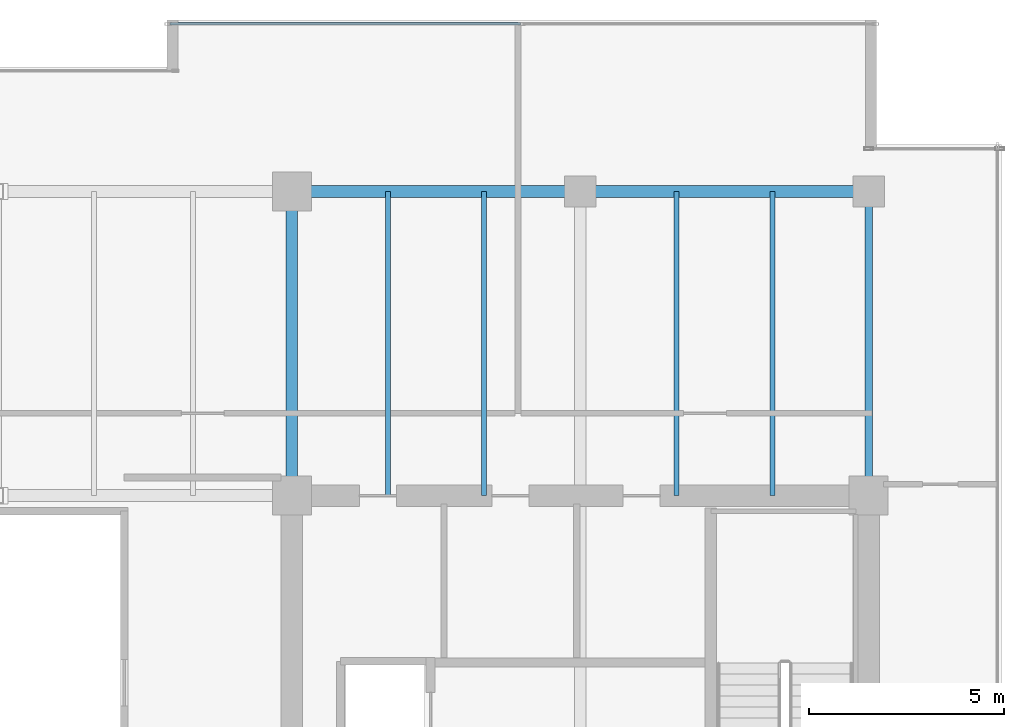
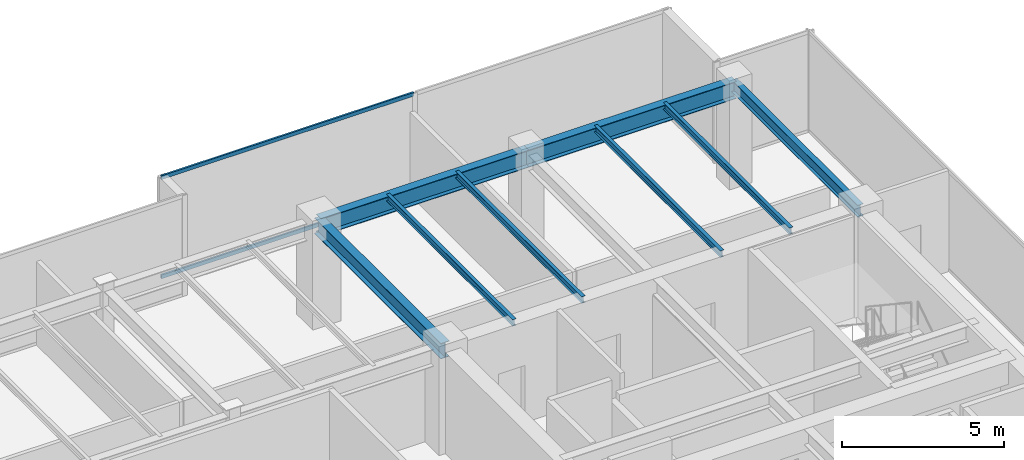
# One storey, part 20 of 33: 8 beams, 2 members, 1 element without a shape of its own.
"""IFC4 building model written with IfcOpenShell, lengths in metres."""

import ifcopenshell
import ifcopenshell.guid

model = None  # the IFC model being written
_history = None  # IfcOwnerHistory: only IFC2X3 demands one
_inside = {}  # id of a spatial element -> (the spatial element, [elements in it])
_under = {}  # id of a project, library or spatial element -> (it, [spatial elements below it])
_declared = {}  # id of a project -> (the project, [libraries it declares])
_typed = {}  # id of a type object -> (the type object, [elements of that type])
_made_of = {}  # id of a material, layer set ... -> (it, [elements and type objects made of it])


def new_model(schema):
    """Start an empty IFC model of exactly this schema.

    Asked for "IFC4X3", IfcOpenShell would pick the latest addendum, in which some entities
    have other attributes; the version numbers below select the first issue.
    IFC2X3 requires an IfcOwnerHistory on every rooted entity: one is made here for all.
    """
    global model, _history
    if schema == "IFC4X3":
        model = ifcopenshell.file(schema_version=(4, 3, 0, 0))
    else:
        model = ifcopenshell.file(schema=schema)
    _inside.clear()
    _under.clear()
    _declared.clear()
    _typed.clear()
    _made_of.clear()
    _history = None
    if model.schema == "IFC2X3":
        org = make("IfcOrganization", Name="unknown")
        user = make(
            "IfcPersonAndOrganization",
            ThePerson=make("IfcPerson", FamilyName="unknown"),
            TheOrganization=org,
        )
        app = make(
            "IfcApplication",
            ApplicationDeveloper=org,
            Version="unknown",
            ApplicationFullName="unknown",
            ApplicationIdentifier="unknown",
        )
        _history = make(
            "IfcOwnerHistory",
            OwningUser=user,
            OwningApplication=app,
            ChangeAction="ADDED",
            CreationDate=0,
        )
    return model


def make(cls, **values):
    """One entity of the class cls with the attributes given. An attribute that is None is left unset."""
    return model.create_entity(
        cls, **{name: value for name, value in values.items() if value is not None}
    )


def rooted(cls, **values):
    """An entity with a GlobalId (a new one), such as an element, a storey or a relation."""
    return make(cls, GlobalId=ifcopenshell.guid.new(), OwnerHistory=_history, **values)


def si_unit(unit_type, name, prefix=None):
    """IfcSIUnit, for example si_unit("LENGTHUNIT", "METRE", prefix="MILLI")."""
    return make("IfcSIUnit", UnitType=unit_type, Prefix=prefix, Name=name)


def assignment(units):
    """IfcUnitAssignment: the units of a project."""
    return None if units is None else make("IfcUnitAssignment", Units=units)


def point(xyz):
    """IfcCartesianPoint."""
    return None if xyz is None else make("IfcCartesianPoint", Coordinates=xyz)


def direction(xyz):
    """IfcDirection."""
    return None if xyz is None else make("IfcDirection", DirectionRatios=xyz)


def frame(location, z_axis=None, x_axis=None):
    """IfcAxis2Placement3D, a coordinate frame: its origin and axes. An axis left out is left unset."""
    return make(
        "IfcAxis2Placement3D",
        Location=point(location),
        Axis=direction(z_axis),
        RefDirection=direction(x_axis),
    )


def frame_2d(location, x_axis=None):
    """IfcAxis2Placement2D, a coordinate frame in the plane: its origin and x axis."""
    return make(
        "IfcAxis2Placement2D", Location=point(location), RefDirection=direction(x_axis)
    )


def origin():
    """The frame at (0, 0, 0) with its axes left unset."""
    return frame((0.0, 0.0, 0.0))


def origin_2d():
    """The frame at (0, 0) in the plane with its x axis left unset."""
    return frame_2d((0.0, 0.0))


def place(relative_to, where):
    """IfcLocalPlacement: puts the frame where relative to a parent placement (None: the world)."""
    return make(
        "IfcLocalPlacement", PlacementRelTo=relative_to, RelativePlacement=where
    )


def context(
    kind, dimensions, precision=None, world=None, true_north=None, identifier=None
):
    """IfcGeometricRepresentationContext, for example the 3D "Model" context."""
    return make(
        "IfcGeometricRepresentationContext",
        ContextIdentifier=identifier,
        ContextType=kind,
        CoordinateSpaceDimension=dimensions,
        Precision=precision,
        WorldCoordinateSystem=world,
        TrueNorth=true_north,
    )


def subcontext(parent, identifier, kind, view, scale=None):
    """IfcGeometricRepresentationSubContext, for example "Body" below "Model"."""
    return make(
        "IfcGeometricRepresentationSubContext",
        ContextIdentifier=identifier,
        ContextType=kind,
        ParentContext=parent,
        TargetScale=scale,
        TargetView=view,
    )


def project(units=None, contexts=None):
    """IfcProject with its units and contexts."""
    return rooted(
        "IfcProject",
        Name="project",
        RepresentationContexts=contexts,
        UnitsInContext=assignment(units),
    )


def spatial(cls, under=None, at=None, **own):
    """A site, building, storey or space (cls), placed at a placement, below another one or the project."""
    s = rooted(cls, ObjectPlacement=at, **own)
    if under is not None:
        _under.setdefault(under.id(), (under, []))[1].append(s)
    return s


def profile(cls, at=None, kind="AREA", **sizes):
    """A parametric profile (cls). Its sizes go by their IFC names, for example OverallWidth=200.0."""
    return make(cls, ProfileType=kind, Position=at, **sizes)


def hollow_rectangle(**sizes):
    """IfcRectangleHollowProfileDef."""
    return profile("IfcRectangleHollowProfileDef", **sizes)


def i_section(**sizes):
    """IfcIShapeProfileDef."""
    return profile("IfcIShapeProfileDef", **sizes)


def extrude(swept, where, along, depth):
    """IfcExtrudedAreaSolid: the profile swept, set in the frame where, extruded along a direction by depth."""
    return make(
        "IfcExtrudedAreaSolid",
        SweptArea=swept,
        Position=where,
        ExtrudedDirection=direction(along),
        Depth=depth,
    )


def shape(context_of_items, identifier, shape_type, items):
    """IfcShapeRepresentation: the items that make up one representation, for example the "Body"."""
    return make(
        "IfcShapeRepresentation",
        ContextOfItems=context_of_items,
        RepresentationIdentifier=identifier,
        RepresentationType=shape_type,
        Items=items,
    )


def source(mapping_origin, context_of_items, identifier, shape_type, items):
    """IfcRepresentationMap: a shape defined once, which mapped items show again and again."""
    return make(
        "IfcRepresentationMap",
        MappingOrigin=mapping_origin,
        MappedRepresentation=shape(context_of_items, identifier, shape_type, items),
    )


def transform(
    local_origin,
    x_axis=None,
    y_axis=None,
    z_axis=None,
    scale=None,
    scale2=None,
    scale3=None,
    uniform=True,
):
    """IfcCartesianTransformationOperator3D, or its non-uniform kind. x_axis, y_axis, z_axis: its Axis1, 2, 3."""
    if uniform:
        return make(
            "IfcCartesianTransformationOperator3D",
            Axis1=direction(x_axis),
            Axis2=direction(y_axis),
            LocalOrigin=point(local_origin),
            Scale=scale,
            Axis3=direction(z_axis),
        )
    return make(
        "IfcCartesianTransformationOperator3DnonUniform",
        Axis1=direction(x_axis),
        Axis2=direction(y_axis),
        LocalOrigin=point(local_origin),
        Scale=scale,
        Axis3=direction(z_axis),
        Scale2=scale2,
        Scale3=scale3,
    )


def mapped(mapping_source, mapping_target):
    """IfcMappedItem: shows the shape of a source again, moved by a transform."""
    return make(
        "IfcMappedItem", MappingSource=mapping_source, MappingTarget=mapping_target
    )


def material(Name=None, Category=None):
    """IfcMaterial."""
    return make("IfcMaterial", Name=Name, Category=Category)


def layer(
    of_material, thickness, ventilated=None, Name=None, Category=None, Priority=None
):
    """IfcMaterialLayer: one layer of a wall or slab, of a material (None: an air gap)."""
    return make(
        "IfcMaterialLayer",
        Material=of_material,
        LayerThickness=thickness,
        IsVentilated=ventilated,
        Name=Name,
        Category=Category,
        Priority=Priority,
    )


def layer_set(layers, Name=None):
    """IfcMaterialLayerSet."""
    return make("IfcMaterialLayerSet", MaterialLayers=layers, LayerSetName=Name)


def material_profile(
    of_material, cross_section, Name=None, Category=None, Priority=None
):
    """IfcMaterialProfile: a cross section and its material."""
    return make(
        "IfcMaterialProfile",
        Name=Name,
        Material=of_material,
        Profile=cross_section,
        Priority=Priority,
        Category=Category,
    )


def profile_set(profiles, Name=None, composite=None):
    """IfcMaterialProfileSet."""
    return make(
        "IfcMaterialProfileSet",
        Name=Name,
        MaterialProfiles=profiles,
        CompositeProfile=composite,
    )


def made_of(thing, what):
    """Note that an element or type object is made of a material, layer set ...; save() writes the relation."""
    if what is not None:
        _made_of.setdefault(what.id(), (what, []))[1].append(thing)
    return thing


def type_object(cls, material=None, **own):
    """A type object (cls), such as IfcWallType, which elements share."""
    return made_of(rooted(cls, **own), material)


def type_shapes(of_type, sources):
    """Give a type object the sources (RepresentationMaps) that its elements show as mapped items."""
    of_type.RepresentationMaps = sources


def element(
    cls,
    number,
    at=None,
    inside=None,
    cuts=None,
    type_object=None,
    material=None,
    context=None,
    identifier="Body",
    shape_type=None,
    held_by="IfcProductDefinitionShape",
    body=None,
    shapes=None,
    **own,
):
    """One element of the class cls, such as IfcWall. Its Tag is "e" and its number.

    at: its placement. inside: the storey or other place that contains it. cuts: it is an
    opening in that element (IfcRelVoidsElement). A single representation is given by context,
    identifier, shape_type and body (its items); several are given by shapes. held_by: the class
    of the entity that holds the representations. save() writes the other relations.
    """
    e = rooted(cls, Tag="e%d" % number, ObjectPlacement=at, **own)
    if body is not None:
        shapes = [shape(context, identifier, shape_type, body)]
    if shapes is not None:
        e.Representation = make(held_by, Representations=shapes)
    if inside is not None:
        _inside.setdefault(inside.id(), (inside, []))[1].append(e)
    if cuts is not None:
        rooted(
            "IfcRelVoidsElement", RelatingBuildingElement=cuts, RelatedOpeningElement=e
        )
    if type_object is not None:
        _typed.setdefault(type_object.id(), (type_object, []))[1].append(e)
    return made_of(e, material)


def aggregate(whole, parts):
    """IfcRelAggregates: a whole, such as a stair, and the parts it consists of."""
    return rooted("IfcRelAggregates", RelatingObject=whole, RelatedObjects=parts)


def save(model, path):
    """Write the relations noted so far, then the file.

    IfcRelAggregates (storeys below a building ...), IfcRelContainedInSpatialStructure (elements
    in a storey), IfcRelDefinesByType, IfcRelAssociatesMaterial and IfcRelDeclares: one each for
    every whole, place, type object, material and project.
    """
    for whole, parts in _under.values():
        aggregate(whole, parts)
    for where, things in _inside.values():
        rooted(
            "IfcRelContainedInSpatialStructure",
            RelatedElements=things,
            RelatingStructure=where,
        )
    for kind, things in _typed.values():
        rooted("IfcRelDefinesByType", RelatedObjects=things, RelatingType=kind)
    for what, things in _made_of.values():
        rooted("IfcRelAssociatesMaterial", RelatedObjects=things, RelatingMaterial=what)
    for by, libraries in _declared.values():
        rooted("IfcRelDeclares", RelatingContext=by, RelatedDefinitions=libraries)
    model.write(path)


model = new_model("IFC4")

# Units and contexts
model_context = context("Model", 3, precision=1e-05, world=origin(), true_north=direction((0.0, 1.0)))
body_context = subcontext(model_context, "Body", "Model", "MODEL_VIEW")
ifc_project = project(units=[si_unit("LENGTHUNIT", "METRE"), si_unit("AREAUNIT", "SQUARE_METRE"), si_unit("VOLUMEUNIT", "CUBIC_METRE"), si_unit("PLANEANGLEUNIT", "RADIAN"), si_unit("MASSUNIT", "GRAM", prefix="KILO")], contexts=[model_context])

# Site, building, storey
site_placement = place(None, origin())
site = spatial("IfcSite", under=ifc_project, at=site_placement, CompositionType="ELEMENT")
building_placement = place(site_placement, origin())
building = spatial("IfcBuilding", under=site, at=building_placement, Name="Haelvirn Gate Laboratories", CompositionType="ELEMENT")
storey_placement = place(building_placement, frame((0.0, 0.0, 287.5)))
storey = spatial("IfcBuildingStorey", under=building, at=storey_placement, Name="L69", CompositionType="ELEMENT", Elevation=287.5)

# Beams
ifc_material_1 = material(Name="Steel SM355", Category="steel")
ifc_material_profile_1 = material_profile(ifc_material_1, i_section(OverallWidth=0.300048828125, OverallDepth=0.587890625, WebThickness=0.011962890625, FlangeThickness=0.02001953125, at=origin_2d()), Name="H-588x300x12x20")
ifc_profile_set_1 = profile_set([ifc_material_profile_1], Name="Steel SM355")
beam_type_1 = type_object("IfcBeamType", Name="BM-G-588", PredefinedType="BEAM", material=ifc_profile_set_1)
shared_shape_1 = source(origin(), body_context, "Body", "SweptSolid", [
    extrude(i_section(OverallWidth=0.300048828125, OverallDepth=0.587890625, WebThickness=0.011962890625, FlangeThickness=0.02001953125, at=origin_2d()), origin(), (0.0, 0.0, 1.0), 7.800048828125),
])
type_shapes(beam_type_1, [shared_shape_1])
beam_1_placement = place(storey_placement, frame((52.60009765625, 33.800048828125, 3.506103515625), z_axis=(0.0, 1.0, 0.0), x_axis=(-1.0, 0.0, 0.0)))
element("IfcBeam", 1, at=beam_1_placement, inside=storey, type_object=beam_type_1, Name="L69 Frame Girder X52.6 (33.8-41.6)", PredefinedType="BEAM", context=body_context, shape_type="MappedRepresentation", body=[
    mapped(shared_shape_1, transform((0.0, 0.0, 0.0), scale=1.0)),
])
ifc_material_profile_2 = material_profile(ifc_material_1, i_section(OverallWidth=0.300048828125, OverallDepth=0.64990234375, WebThickness=0.012939453125, FlangeThickness=0.02197265625, at=origin_2d()), Name="H-650x300x13x22")
ifc_profile_set_2 = profile_set([ifc_material_profile_2], Name="Steel SM355")
beam_type_2 = type_object("IfcBeamType", Name="BM-G-650", PredefinedType="BEAM", material=ifc_profile_set_2)
shared_shape_2 = source(origin(), body_context, "Body", "SweptSolid", [
    extrude(i_section(OverallWidth=0.300048828125, OverallDepth=0.64990234375, WebThickness=0.012939453125, FlangeThickness=0.02197265625, at=origin_2d()), origin(), (0.0, 0.0, 1.0), 7.39990234375),
])
type_shapes(beam_type_2, [shared_shape_2])
for number, where, z_axis, x_axis, name in (
    (2, (52.60009765625, 41.60009765625, 3.47509765625), (1.0, 0.0, 0.0), (0.0, 1.0, 0.0), "L69 Primary Girder Y41.6 (52.6-60.0)"),
    (3, (60.0, 41.60009765625, 3.47509765625), (1.0, 0.0, 0.0), (0.0, 1.0, 0.0), "L69 Primary Girder Y41.6 (60.0-67.4)"),
):
    element("IfcBeam", number, at=place(storey_placement, frame(where, z_axis=z_axis, x_axis=x_axis)), inside=storey, type_object=beam_type_2, Name=name, PredefinedType="BEAM", context=body_context, shape_type="MappedRepresentation", body=[
        mapped(shared_shape_2, transform((0.0, 0.0, 0.0), scale=1.0)),
    ])
ifc_material_profile_3 = material_profile(ifc_material_1, i_section(OverallWidth=0.199951171875, OverallDepth=0.449951171875, WebThickness=0.009033203125, FlangeThickness=0.013916015625, at=origin_2d()), Name="H-450x200x9x14")
ifc_profile_set_3 = profile_set([ifc_material_profile_3], Name="Steel SM355")
beam_type_3 = type_object("IfcBeamType", Name="BM-SP-450", PredefinedType="SPANDREL", material=ifc_profile_set_3)
shared_shape_3 = source(origin(), body_context, "Body", "SweptSolid", [
    extrude(i_section(OverallWidth=0.199951171875, OverallDepth=0.449951171875, WebThickness=0.009033203125, FlangeThickness=0.013916015625, at=origin_2d()), origin(), (0.0, 0.0, 1.0), 7.800048828125),
])
type_shapes(beam_type_3, [shared_shape_3])
beam_2_placement = place(storey_placement, frame((67.39990234375, 33.800048828125, 3.574951171875), z_axis=(0.0, 1.0, 0.0), x_axis=(-1.0, 0.0, 0.0)))
element("IfcBeam", 4, at=beam_2_placement, inside=storey, type_object=beam_type_3, Name="L69 Perimeter Spandrel X67.4 (33.8-41.6)", PredefinedType="SPANDREL", context=body_context, shape_type="MappedRepresentation", body=[
    mapped(shared_shape_3, transform((0.0, 0.0, 0.0), scale=1.0)),
])
ifc_material_profile_4 = material_profile(ifc_material_1, i_section(OverallWidth=0.125, OverallDepth=0.25, WebThickness=0.006103515625, FlangeThickness=0.009033203125, at=origin_2d()), Name="H-250x125x6x9")
ifc_profile_set_4 = profile_set([ifc_material_profile_4], Name="Steel SM355")
beam_type_4 = type_object("IfcBeamType", Name="BM-J-250", PredefinedType="JOIST", material=ifc_profile_set_4)
shared_shape_4 = source(origin(), body_context, "Body", "SweptSolid", [
    extrude(i_section(OverallWidth=0.125, OverallDepth=0.25, WebThickness=0.006103515625, FlangeThickness=0.009033203125, at=origin_2d()), origin(), (0.0, 0.0, 1.0), 7.800048828125),
])
type_shapes(beam_type_4, [shared_shape_4])
for number, where, z_axis, x_axis, name in (
    (5, (55.070068359375, 33.800048828125, 3.675048828125), (0.0, 1.0, 0.0), (-1.0, 0.0, 0.0), "L69 Composite Lab Joist North X55.07"),
    (6, (57.530029296875, 33.800048828125, 3.675048828125), (0.0, 1.0, 0.0), (-1.0, 0.0, 0.0), "L69 Composite Lab Joist North X57.53"),
    (7, (62.469970703125, 33.800048828125, 3.675048828125), (0.0, 1.0, 0.0), (-1.0, 0.0, 0.0), "L69 Composite Lab Joist North X62.47"),
    (8, (64.929931640625, 33.800048828125, 3.675048828125), (0.0, 1.0, 0.0), (-1.0, 0.0, 0.0), "L69 Composite Lab Joist North X64.93"),
):
    element("IfcBeam", number, at=place(storey_placement, frame(where, z_axis=z_axis, x_axis=x_axis)), inside=storey, type_object=beam_type_4, Name=name, PredefinedType="JOIST", context=body_context, shape_type="MappedRepresentation", body=[
        mapped(shared_shape_4, transform((0.0, 0.0, 0.0), scale=1.0)),
    ])

# Curtain wall, members
ifc_material_2 = material(Name="Anodised bronze unitised aluminium & triple low-E glass", Category="aluminium")
ifc_layer = layer(ifc_material_2, 0.176025390625, Name="CW-SYS-4")
ifc_layer_set = layer_set([ifc_layer], Name="Anodised bronze unitised aluminium & triple low-E glass")
curtain_wall_type = type_object("IfcCurtainWallType", Name="CW-SYS-4", PredefinedType="NOTDEFINED", material=ifc_layer_set)
curtain_wall_placement = place(storey_placement, origin())
curtain_wall = element("IfcCurtainWall", 9, at=curtain_wall_placement, inside=storey, type_object=curtain_wall_type, Name="L69 Unitised Curtain Wall CW-L69-P0-E10-1", PredefinedType="NOTDEFINED")
ifc_material_3 = material(Name="Extruded aluminium 6063-T6 (anodised bronze)", Category="aluminium")
ifc_material_profile_5 = material_profile(ifc_material_3, hollow_rectangle(XDim=0.06494140625, YDim=0.139892578125, WallThickness=0.00390625, at=origin_2d()), Name="CWT-140x65x4")
ifc_profile_set_5 = profile_set([ifc_material_profile_5], Name="Extruded aluminium 6063-T6 (anodised bronze)")
member_type = type_object("IfcMemberType", Name="CWT-T140", PredefinedType="USERDEFINED", material=ifc_profile_set_5)
shared_shape_5 = source(origin(), body_context, "Body", "SweptSolid", [
    extrude(hollow_rectangle(XDim=0.06494140625, YDim=0.139892578125, WallThickness=0.00390625, at=origin_2d()), origin(), (0.0, 0.0, 1.0), 8.9951171875),
])
type_shapes(member_type, [shared_shape_5])
member_1_placement = place(storey_placement, frame((49.469970703125, 45.89990234375, 0.032470703125), z_axis=(1.0, 0.0, 0.0), x_axis=(0.0, 1.0, 0.0)))
member_1 = element("IfcMember", 10, at=member_1_placement, type_object=member_type, Name="CW4 transom 1.1", ObjectType="TRANSOM", PredefinedType="USERDEFINED", context=body_context, shape_type="MappedRepresentation", body=[
    mapped(shared_shape_5, transform((0.0, 0.0, 0.0), scale=1.0)),
])
member_2_placement = place(storey_placement, frame((49.469970703125, 45.89990234375, 3.767578125), z_axis=(1.0, 0.0, 0.0), x_axis=(0.0, 1.0, 0.0)))
member_2 = element("IfcMember", 11, at=member_2_placement, type_object=member_type, Name="CW4 transom 1.2", ObjectType="TRANSOM", PredefinedType="USERDEFINED", context=body_context, shape_type="MappedRepresentation", body=[
    mapped(shared_shape_5, transform((0.0, 0.0, 0.0), scale=1.0)),
])
aggregate(curtain_wall, [member_1, member_2])

save(model, "model.ifc")
